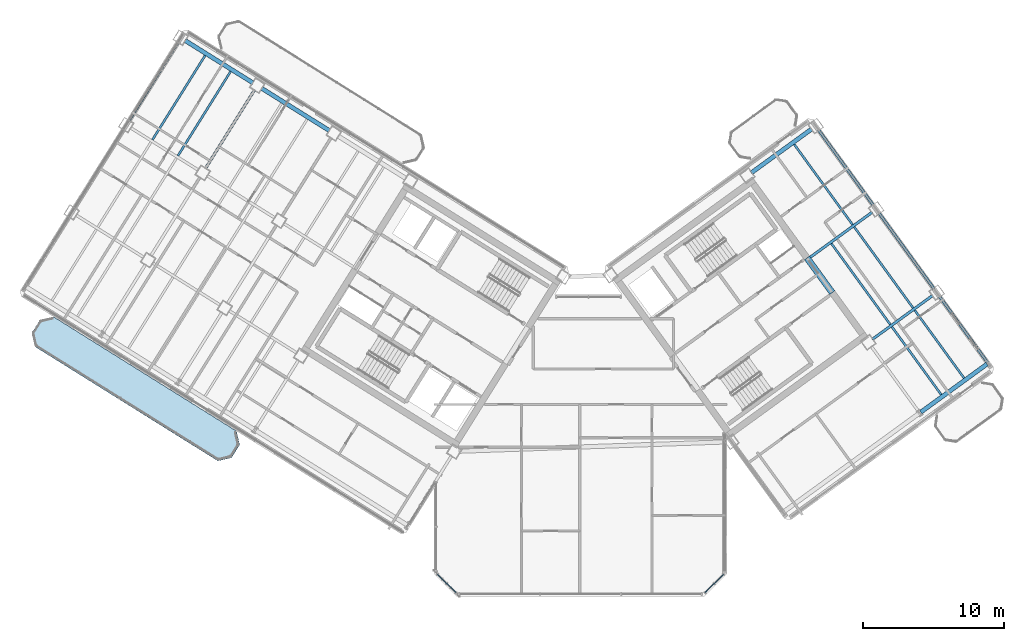
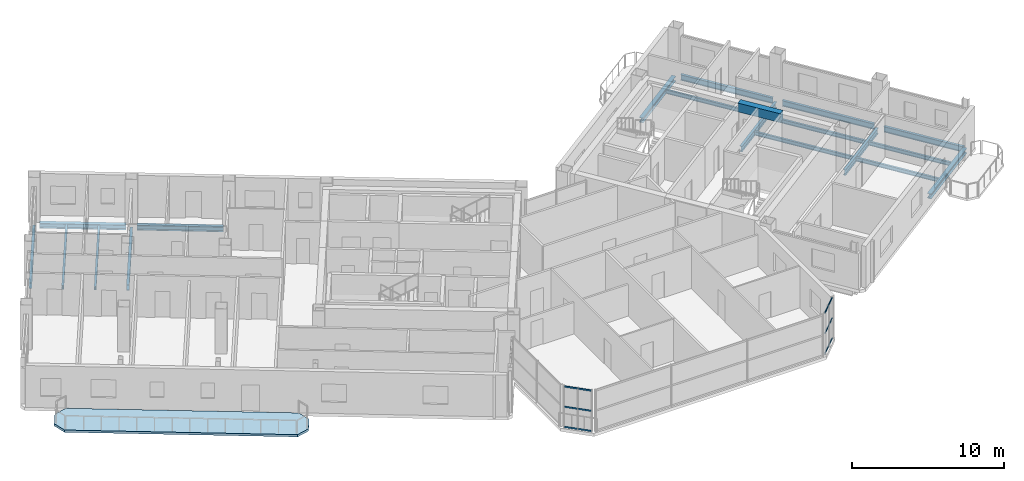
# One storey, part 13 of 29: 19 beams, 12 members, 1 slab, 2 elements without a shape of their own.
"""IFC4 building model written with IfcOpenShell, lengths in metres."""

from ifc_helpers import new_model, si_unit, direction, frame, origin, origin_2d, place, context, subcontext, project, spatial, polyline, rectangle, hollow_rectangle, i_section, outline, extrude, source, transform, mapped, material, layer, layer_set, material_profile, profile_set, type_object, element, aggregate, save


model = new_model("IFC4")

# Units and contexts
model_context = context("Model", 3, precision=1e-05, world=origin(), true_north=direction((0.0, 1.0)))
body_context = subcontext(model_context, "Body", "Model", "MODEL_VIEW")
ifc_project = project(units=[si_unit("LENGTHUNIT", "METRE"), si_unit("AREAUNIT", "SQUARE_METRE"), si_unit("VOLUMEUNIT", "CUBIC_METRE"), si_unit("PLANEANGLEUNIT", "RADIAN"), si_unit("MASSUNIT", "GRAM", prefix="KILO")], contexts=[model_context])

# Site, building, storey
site_placement = place(None, origin())
site = spatial("IfcSite", under=ifc_project, at=site_placement, CompositionType="ELEMENT")
building_placement = place(site_placement, origin())
building = spatial("IfcBuilding", under=site, at=building_placement, Name="Tlacorven Tower", CompositionType="ELEMENT")
storey_placement = place(building_placement, frame((0.0, 0.0, 238.5)))
storey = spatial("IfcBuildingStorey", under=building, at=storey_placement, Name="L60", CompositionType="ELEMENT", Elevation=238.5)

# Beams
ifc_material_1 = material(Name="Concrete C60/75", Category="concrete")
ifc_material_profile_1 = material_profile(ifc_material_1, rectangle(XDim=0.449951171875, YDim=0.699951171875, at=origin_2d()), Name="RC 450X700")
ifc_profile_set_1 = profile_set([ifc_material_profile_1], Name="Concrete C60/75")
beam_type_1 = type_object("IfcBeamType", Name="BM-LNT-700", PredefinedType="LINTEL", material=ifc_profile_set_1)
shared_shape_1 = source(origin(), body_context, "Body", "SweptSolid", [
    extrude(rectangle(XDim=0.449951171875, YDim=0.699951171875, at=origin_2d()), origin(), (0.0, 0.0, 1.0), 3.050048828125),
])
beam_1_placement = place(storey_placement, frame((59.856689453125, 23.345947265625, 3.0), z_axis=(-0.587776590479, 0.80902328748, 0.0), x_axis=(-0.80902328748, -0.587776590479, 0.0)))
element("IfcBeam", 1, at=beam_1_placement, inside=storey, type_object=beam_type_1, Name="L60 E core coupling lintel beam E2", PredefinedType="LINTEL", context=body_context, shape_type="MappedRepresentation", body=[
    mapped(shared_shape_1, transform((0.0, 0.0, 0.0), scale=1.0)),
])
ifc_material_2 = material(Name="Steel S355J2", Category="steel")
ifc_material_profile_2 = material_profile(ifc_material_2, i_section(OverallWidth=0.300048828125, OverallDepth=0.389892578125, WebThickness=0.010986328125, FlangeThickness=0.01904296875, at=origin_2d()), Name="HEA 400")
ifc_profile_set_2 = profile_set([ifc_material_profile_2], Name="Steel S355J2")
beam_type_2 = type_object("IfcBeamType", Name="BM-SPN-400", PredefinedType="SPANDREL", material=ifc_profile_set_2)
shared_shape_2 = source(origin(), body_context, "Body", "SweptSolid", [
    extrude(i_section(OverallWidth=0.300048828125, OverallDepth=0.389892578125, WebThickness=0.010986328125, FlangeThickness=0.01904296875, at=origin_2d()), origin(), (0.0, 0.0, 1.0), 5.7001953125),
])
for number, where, z_axis, x_axis, name in (
    (2, (24.20361328125, 34.828369140625, -0.445068359375), (-0.848056048787, 0.529906537151, 0.0), (-0.529906537151, -0.848056048787, 0.0), "L60 beam BM-L60-WL1-4"),
    (3, (18.776123046875, 38.2197265625, -0.445068359375), (-0.848056048787, 0.529906537151, 0.0), (-0.529906537151, -0.848056048787, 0.0), "L60 beam BM-L60-WL1-5"),
):
    element("IfcBeam", number, at=place(storey_placement, frame(where, z_axis=z_axis, x_axis=x_axis)), inside=storey, type_object=beam_type_2, Name=name, PredefinedType="SPANDREL", context=body_context, shape_type="MappedRepresentation", body=[
        mapped(shared_shape_2, transform((0.0, 0.0, 0.0), scale=1.0)),
    ])
shared_shape_3 = source(origin(), body_context, "Body", "SweptSolid", [
    extrude(i_section(OverallWidth=0.300048828125, OverallDepth=0.389892578125, WebThickness=0.010986328125, FlangeThickness=0.01904296875, at=origin_2d()), origin(), (0.0, 0.0, 1.0), 5.300048828125),
])
beam_2_placement = place(storey_placement, frame((54.114990234375, 31.84423828125, -0.445068359375), z_axis=(0.809022830186, 0.587777219904, 0.0), x_axis=(-0.587777219904, 0.809022830186, 0.0)))
element("IfcBeam", 4, at=beam_2_placement, inside=storey, type_object=beam_type_2, Name="L60 beam BM-L60-EL4-3", PredefinedType="SPANDREL", context=body_context, shape_type="MappedRepresentation", body=[
    mapped(shared_shape_3, transform((0.0, 0.0, 0.0), scale=1.0)),
])
shared_shape_4 = source(origin(), body_context, "Body", "SweptSolid", [
    extrude(i_section(OverallWidth=0.300048828125, OverallDepth=0.389892578125, WebThickness=0.010986328125, FlangeThickness=0.01904296875, at=origin_2d()), origin(), (0.0, 0.0, 1.0), 5.800048828125),
])
beam_3_placement = place(storey_placement, frame((66.138671875, 14.86962890625, -0.445068359375), z_axis=(0.809019944521, 0.587781191743, 0.0), x_axis=(-0.587781191743, 0.809019944521, 0.0)))
element("IfcBeam", 5, at=beam_3_placement, inside=storey, type_object=beam_type_2, Name="L60 beam BM-L60-EL1-3", PredefinedType="SPANDREL", context=body_context, shape_type="MappedRepresentation", body=[
    mapped(shared_shape_4, transform((0.0, 0.0, 0.0), scale=1.0)),
])
ifc_material_profile_3 = material_profile(ifc_material_2, i_section(OverallWidth=0.14990234375, OverallDepth=0.300048828125, WebThickness=0.007080078125, FlangeThickness=0.0107421875, at=origin_2d()), Name="IPE 300")
ifc_profile_set_3 = profile_set([ifc_material_profile_3], Name="Steel S355J2")
beam_type_3 = type_object("IfcBeamType", Name="BM-JST-300", PredefinedType="JOIST", material=ifc_profile_set_3)
shared_shape_5 = source(origin(), body_context, "Body", "SweptSolid", [
    extrude(i_section(OverallWidth=0.14990234375, OverallDepth=0.300048828125, WebThickness=0.007080078125, FlangeThickness=0.0107421875, at=origin_2d()), origin(), (0.0, 0.0, 1.0), 7.10009765625),
])
for number, where, z_axis, x_axis, name in (
    (6, (63.972900390625, 21.083251953125, -0.39990234375), (-0.587783168305, 0.809018508476, 0.0), (-0.809018508476, -0.587783168305, 0.0), "L60 beam BM-L60-EJ3-2-1"),
    (7, (65.5908203125, 22.2587890625, -0.39990234375), (-0.587760662035, 0.809034859672, 0.0), (-0.809034859672, -0.587760662035, 0.0), "L60 beam BM-L60-EJ3-2-2"),
):
    element("IfcBeam", number, at=place(storey_placement, frame(where, z_axis=z_axis, x_axis=x_axis)), inside=storey, type_object=beam_type_3, Name=name, PredefinedType="JOIST", context=body_context, shape_type="MappedRepresentation", body=[
        mapped(shared_shape_5, transform((0.0, 0.0, 0.0), scale=1.0)),
    ])
ifc_material_profile_4 = material_profile(ifc_material_2, i_section(OverallWidth=0.18994140625, OverallDepth=0.449951171875, WebThickness=0.009521484375, FlangeThickness=0.0146484375, at=origin_2d()), Name="IPE 450")
ifc_profile_set_4 = profile_set([ifc_material_profile_4], Name="Steel S355J2")
beam_type_4 = type_object("IfcBeamType", Name="BM-TWR-450", PredefinedType="BEAM", material=ifc_profile_set_4)
shared_shape_6 = source(origin(), body_context, "Body", "SweptSolid", [
    extrude(i_section(OverallWidth=0.18994140625, OverallDepth=0.449951171875, WebThickness=0.009521484375, FlangeThickness=0.0146484375, at=origin_2d()), origin(), (0.0, 0.0, 1.0), 5.75),
])
beam_4_placement = place(storey_placement, frame((70.853271484375, 18.41845703125, -0.47509765625), z_axis=(-0.587797998499, 0.80900773356, 0.0), x_axis=(-0.80900773356, -0.587797998499, 0.0)))
element("IfcBeam", 8, at=beam_4_placement, inside=storey, type_object=beam_type_4, Name="L60 beam BM-L60-ET4-1", PredefinedType="BEAM", context=body_context, shape_type="MappedRepresentation", body=[
    mapped(shared_shape_6, transform((0.0, 0.0, 0.0), scale=1.0)),
])
shared_shape_7 = source(origin(), body_context, "Body", "SweptSolid", [
    extrude(i_section(OverallWidth=0.18994140625, OverallDepth=0.449951171875, WebThickness=0.009521484375, FlangeThickness=0.0146484375, at=origin_2d()), origin(), (0.0, 0.0, 1.0), 6.599853515625),
])
beam_5_placement = place(storey_placement, frame((13.4599609375, 41.12890625, -0.47509765625), z_axis=(-0.529942412256, -0.848033631227, 0.0), x_axis=(0.848033631227, -0.529942412256, 0.0)))
element("IfcBeam", 9, at=beam_5_placement, inside=storey, type_object=beam_type_4, Name="L60 beam BM-L60-WT6-1", PredefinedType="BEAM", context=body_context, shape_type="MappedRepresentation", body=[
    mapped(shared_shape_7, transform((0.0, 0.0, 0.0), scale=1.0)),
])
shared_shape_8 = source(origin(), body_context, "Body", "SweptSolid", [
    extrude(i_section(OverallWidth=0.18994140625, OverallDepth=0.449951171875, WebThickness=0.009521484375, FlangeThickness=0.0146484375, at=origin_2d()), origin(), (0.0, 0.0, 1.0), 6.60009765625),
])
for number, where, z_axis, x_axis, name in (
    (10, (18.887451171875, 37.737548828125, -0.47509765625), (-0.529925788294, -0.848044019436, 0.0), (0.848044019436, -0.529925788294, 0.0), "L60 beam BM-L60-WT5-1"),
    (11, (67.06201171875, 23.63671875, -0.47509765625), (-0.587780128583, 0.809020716943, 0.0), (-0.809020716943, -0.587780128583, 0.0), "L60 beam BM-L60-ET4-2"),
    (12, (62.771240234375, 29.54248046875, -0.47509765625), (-0.587780128583, 0.809020716943, 0.0), (-0.809020716943, -0.587780128583, 0.0), "L60 beam BM-L60-ET4-3"),
):
    element("IfcBeam", number, at=place(storey_placement, frame(where, z_axis=z_axis, x_axis=x_axis)), inside=storey, type_object=beam_type_4, Name=name, PredefinedType="BEAM", context=body_context, shape_type="MappedRepresentation", body=[
        mapped(shared_shape_8, transform((0.0, 0.0, 0.0), scale=1.0)),
    ])
shared_shape_9 = source(origin(), body_context, "Body", "SweptSolid", [
    extrude(i_section(OverallWidth=0.14990234375, OverallDepth=0.300048828125, WebThickness=0.007080078125, FlangeThickness=0.0107421875, at=origin_2d()), origin(), (0.0, 0.0, 1.0), 7.044921875),
])
for number, where, z_axis, x_axis, name in (
    (13, (17.181640625, 39.033447265625, -0.39990234375), (-0.529899256491, -0.848060598053, 0.0), (0.848060598053, -0.529899256491, 0.0), "L60 beam BM-L60-WJ5-1-1"),
    (14, (15.372314453125, 40.163818359375, -0.39990234375), (-0.52991483005, -0.848050866925, 0.0), (0.848050866925, -0.52991483005, 0.0), "L60 beam BM-L60-WJ5-1-2"),
    (15, (61.300048828125, 28.164794921875, -0.39990234375), (-0.587782183052, 0.8090192243, 0.0), (-0.8090192243, -0.587782183052, 0.0), "L60 beam BM-L60-EJ3-3-2"),
):
    element("IfcBeam", number, at=place(storey_placement, frame(where, z_axis=z_axis, x_axis=x_axis)), inside=storey, type_object=beam_type_3, Name=name, PredefinedType="JOIST", context=body_context, shape_type="MappedRepresentation", body=[
        mapped(shared_shape_9, transform((0.0, 0.0, 0.0), scale=1.0)),
    ])
shared_shape_10 = source(origin(), body_context, "Body", "SweptSolid", [
    extrude(i_section(OverallWidth=0.14990234375, OverallDepth=0.300048828125, WebThickness=0.007080078125, FlangeThickness=0.0107421875, at=origin_2d()), origin(), (0.0, 0.0, 1.0), 5.945068359375),
])
for number, where, z_axis, x_axis, name in (
    (16, (67.584716796875, 16.11181640625, -0.39990234375), (-0.587788268014, 0.809014803317, 0.0), (-0.809014803317, -0.587788268014, 0.0), "L60 beam BM-L60-EJ3-1-1"),
    (17, (69.202880859375, 17.287353515625, -0.39990234375), (-0.587768740048, 0.809028990965, 0.0), (-0.809028990965, -0.587768740048, 0.0), "L60 beam BM-L60-EJ3-1-2"),
):
    element("IfcBeam", number, at=place(storey_placement, frame(where, z_axis=z_axis, x_axis=x_axis)), inside=storey, type_object=beam_type_3, Name=name, PredefinedType="JOIST", context=body_context, shape_type="MappedRepresentation", body=[
        mapped(shared_shape_10, transform((0.0, 0.0, 0.0), scale=1.0)),
    ])
shared_shape_11 = source(origin(), body_context, "Body", "SweptSolid", [
    extrude(i_section(OverallWidth=0.18994140625, OverallDepth=0.449951171875, WebThickness=0.009521484375, FlangeThickness=0.0146484375, at=origin_2d()), origin(), (0.0, 0.0, 1.0), 5.300048828125),
])
beam_6_placement = place(storey_placement, frame((62.69677734375, 20.032470703125, -0.47509765625), z_axis=(0.809022830186, 0.587777219904, 0.0), x_axis=(-0.587777219904, 0.809022830186, 0.0)))
element("IfcBeam", 18, at=beam_6_placement, inside=storey, type_object=beam_type_4, Name="L60 beam BM-L60-EL2-3", PredefinedType="BEAM", context=body_context, shape_type="MappedRepresentation", body=[
    mapped(shared_shape_11, transform((0.0, 0.0, 0.0), scale=1.0)),
])
shared_shape_12 = source(origin(), body_context, "Body", "SweptSolid", [
    extrude(i_section(OverallWidth=0.18994140625, OverallDepth=0.449951171875, WebThickness=0.009521484375, FlangeThickness=0.0146484375, at=origin_2d()), origin(), (0.0, 0.0, 1.0), 5.6103515625),
])
beam_7_placement = place(storey_placement, frame((58.155029296875, 25.756103515625, -0.47509765625), z_axis=(0.809020142627, 0.587780919071, 0.0), x_axis=(-0.587780919071, 0.809020142627, 0.0)))
element("IfcBeam", 19, at=beam_7_placement, inside=storey, type_object=beam_type_4, Name="L60 beam BM-L60-EL3-3", PredefinedType="BEAM", context=body_context, shape_type="MappedRepresentation", body=[
    mapped(shared_shape_12, transform((0.0, 0.0, 0.0), scale=1.0)),
])

# Curtain wall, members
ifc_material_3 = material(Name="Dark solar low-E double glazing in aluminium frame", Category="aluminium")
curtain_wall_type = type_object("IfcCurtainWallType", Name="CW-TWR-HIGH", PredefinedType="USERDEFINED", material=ifc_material_3)
curtain_wall_1_placement = place(storey_placement, origin())
curtain_wall_1 = element("IfcCurtainWall", 20, at=curtain_wall_1_placement, inside=storey, type_object=curtain_wall_type, Name="L60 CW-TWR-HIGH Curtain Wall 272", ObjectType="UNITISED CURTAIN WALL", PredefinedType="USERDEFINED")
ifc_material_4 = material(Name="Aluminium 6063-T6 anodised", Category="aluminium")
ifc_material_profile_5 = material_profile(ifc_material_4, hollow_rectangle(XDim=0.054931640625, YDim=0.1201171875, WallThickness=0.00341796875, at=origin_2d()), Name="ALU TRANSOM 55X120")
ifc_profile_set_5 = profile_set([ifc_material_profile_5], Name="Aluminium 6063-T6 anodised")
member_type = type_object("IfcMemberType", Name="CWT-03", PredefinedType="USERDEFINED", material=ifc_profile_set_5)
shared_shape_13 = source(origin(), body_context, "Body", "SweptSolid", [
    extrude(hollow_rectangle(XDim=0.054931640625, YDim=0.1201171875, WallThickness=0.00341796875, at=origin_2d()), origin(), (0.0, 0.0, 1.0), 0.899169921875),
])
member_1_placement = place(storey_placement, frame((52.13525390625, 3.361572265625, 0.06005859375), z_axis=(-0.707106781187, -0.707106781187, 0.0), x_axis=(0.707106781187, -0.707106781187, 0.0)))
member_1 = element("IfcMember", 21, at=member_1_placement, type_object=member_type, Name="CW-L60-272 Transom 1", ObjectType="TRANSOM", PredefinedType="USERDEFINED", context=body_context, shape_type="MappedRepresentation", body=[
    mapped(shared_shape_13, transform((0.0, 0.0, 0.0), scale=1.0)),
])
member_2_placement = place(storey_placement, frame((52.13525390625, 3.361572265625, 1.675048828125), z_axis=(-0.707106781187, -0.707106781187, 0.0), x_axis=(0.707106781187, -0.707106781187, 0.0)))
member_2 = element("IfcMember", 22, at=member_2_placement, type_object=member_type, Name="CW-L60-272 Transom 2", ObjectType="TRANSOM", PredefinedType="USERDEFINED", context=body_context, shape_type="MappedRepresentation", body=[
    mapped(shared_shape_13, transform((0.0, 0.0, 0.0), scale=1.0)),
])
member_3_placement = place(storey_placement, frame((52.13525390625, 3.361572265625, 3.2900390625), z_axis=(-0.707106781187, -0.707106781187, 0.0), x_axis=(0.707106781187, -0.707106781187, 0.0)))
member_3 = element("IfcMember", 23, at=member_3_placement, type_object=member_type, Name="CW-L60-272 Transom 3", ObjectType="TRANSOM", PredefinedType="USERDEFINED", context=body_context, shape_type="MappedRepresentation", body=[
    mapped(shared_shape_13, transform((0.0, 0.0, 0.0), scale=1.0)),
])
member_4_placement = place(storey_placement, frame((51.47412109375, 2.700439453125, 0.06005859375), z_axis=(-0.707106781187, -0.707106781187, 0.0), x_axis=(0.707106781187, -0.707106781187, 0.0)))
member_4 = element("IfcMember", 24, at=member_4_placement, type_object=member_type, Name="CW-L60-272 Transom 4", ObjectType="TRANSOM", PredefinedType="USERDEFINED", context=body_context, shape_type="MappedRepresentation", body=[
    mapped(shared_shape_13, transform((0.0, 0.0, 0.0), scale=1.0)),
])
member_5_placement = place(storey_placement, frame((51.47412109375, 2.700439453125, 1.675048828125), z_axis=(-0.707106781187, -0.707106781187, 0.0), x_axis=(0.707106781187, -0.707106781187, 0.0)))
member_5 = element("IfcMember", 25, at=member_5_placement, type_object=member_type, Name="CW-L60-272 Transom 5", ObjectType="TRANSOM", PredefinedType="USERDEFINED", context=body_context, shape_type="MappedRepresentation", body=[
    mapped(shared_shape_13, transform((0.0, 0.0, 0.0), scale=1.0)),
])
member_6_placement = place(storey_placement, frame((51.47412109375, 2.700439453125, 3.2900390625), z_axis=(-0.707106781187, -0.707106781187, 0.0), x_axis=(0.707106781187, -0.707106781187, 0.0)))
member_6 = element("IfcMember", 26, at=member_6_placement, type_object=member_type, Name="CW-L60-272 Transom 6", ObjectType="TRANSOM", PredefinedType="USERDEFINED", context=body_context, shape_type="MappedRepresentation", body=[
    mapped(shared_shape_13, transform((0.0, 0.0, 0.0), scale=1.0)),
])
aggregate(curtain_wall_1, [member_1, member_2, member_3, member_4, member_5, member_6])

curtain_wall_2_placement = place(storey_placement, origin())
curtain_wall_2 = element("IfcCurtainWall", 27, at=curtain_wall_2_placement, inside=storey, type_object=curtain_wall_type, Name="L60 CW-TWR-HIGH Curtain Wall 274", ObjectType="UNITISED CURTAIN WALL", PredefinedType="USERDEFINED")
member_7_placement = place(storey_placement, frame((33.16162109375, 2.064697265625, 0.06005859375), z_axis=(-0.707106781187, 0.707106781187, 0.0), x_axis=(-0.707106781187, -0.707106781187, 0.0)))
member_7 = element("IfcMember", 28, at=member_7_placement, type_object=member_type, Name="CW-L60-274 Transom 1", ObjectType="TRANSOM", PredefinedType="USERDEFINED", context=body_context, shape_type="MappedRepresentation", body=[
    mapped(shared_shape_13, transform((0.0, 0.0, 0.0), scale=1.0)),
])
member_8_placement = place(storey_placement, frame((33.16162109375, 2.064697265625, 1.675048828125), z_axis=(-0.707106781187, 0.707106781187, 0.0), x_axis=(-0.707106781187, -0.707106781187, 0.0)))
member_8 = element("IfcMember", 29, at=member_8_placement, type_object=member_type, Name="CW-L60-274 Transom 2", ObjectType="TRANSOM", PredefinedType="USERDEFINED", context=body_context, shape_type="MappedRepresentation", body=[
    mapped(shared_shape_13, transform((0.0, 0.0, 0.0), scale=1.0)),
])
member_9_placement = place(storey_placement, frame((33.16162109375, 2.064697265625, 3.2900390625), z_axis=(-0.707106781187, 0.707106781187, 0.0), x_axis=(-0.707106781187, -0.707106781187, 0.0)))
member_9 = element("IfcMember", 30, at=member_9_placement, type_object=member_type, Name="CW-L60-274 Transom 3", ObjectType="TRANSOM", PredefinedType="USERDEFINED", context=body_context, shape_type="MappedRepresentation", body=[
    mapped(shared_shape_13, transform((0.0, 0.0, 0.0), scale=1.0)),
])
member_10_placement = place(storey_placement, frame((32.50048828125, 2.725830078125, 0.06005859375), z_axis=(-0.707106781187, 0.707106781187, 0.0), x_axis=(-0.707106781187, -0.707106781187, 0.0)))
member_10 = element("IfcMember", 31, at=member_10_placement, type_object=member_type, Name="CW-L60-274 Transom 4", ObjectType="TRANSOM", PredefinedType="USERDEFINED", context=body_context, shape_type="MappedRepresentation", body=[
    mapped(shared_shape_13, transform((0.0, 0.0, 0.0), scale=1.0)),
])
member_11_placement = place(storey_placement, frame((32.50048828125, 2.725830078125, 1.675048828125), z_axis=(-0.707106781187, 0.707106781187, 0.0), x_axis=(-0.707106781187, -0.707106781187, 0.0)))
member_11 = element("IfcMember", 32, at=member_11_placement, type_object=member_type, Name="CW-L60-274 Transom 5", ObjectType="TRANSOM", PredefinedType="USERDEFINED", context=body_context, shape_type="MappedRepresentation", body=[
    mapped(shared_shape_13, transform((0.0, 0.0, 0.0), scale=1.0)),
])
member_12_placement = place(storey_placement, frame((32.50048828125, 2.725830078125, 3.2900390625), z_axis=(-0.707106781187, 0.707106781187, 0.0), x_axis=(-0.707106781187, -0.707106781187, 0.0)))
member_12 = element("IfcMember", 33, at=member_12_placement, type_object=member_type, Name="CW-L60-274 Transom 6", ObjectType="TRANSOM", PredefinedType="USERDEFINED", context=body_context, shape_type="MappedRepresentation", body=[
    mapped(shared_shape_13, transform((0.0, 0.0, 0.0), scale=1.0)),
])
aggregate(curtain_wall_2, [member_7, member_8, member_9, member_10, member_11, member_12])

# Slab
ifc_material_5 = material(Name="Precast concrete C45/55", Category="concrete")
ifc_layer = layer(ifc_material_5, 0.179931640625)
ifc_layer_set = layer_set([ifc_layer], Name="Precast concrete C45/55")
slab_type = type_object("IfcSlabType", Name="SL-BAL-180", PredefinedType="USERDEFINED", material=ifc_layer_set)
slab_placement = place(storey_placement, frame((0.0, 0.0, -0.179931640625)))
element("IfcSlab", 34, at=slab_placement, inside=storey, type_object=slab_type, Name="L60 West Wing Balcony Ribbon OUT", ObjectType="BALCONY SLAB", PredefinedType="USERDEFINED", context=body_context, shape_type="SweptSolid", body=[
    extrude(outline(polyline([(17.601318359375, 13.52490234375), (4.626220703125, 21.632568359375), (3.66162109375, 21.409912109375), (3.081298828125, 20.4814453125), (3.303955078125, 19.516845703125), (16.279052734375, 11.408935546875), (17.24365234375, 11.6318359375), (17.823974609375, 12.560302734375), (17.601318359375, 13.52490234375)])), origin(), (0.0, 0.0, 1.0), 0.179931640625),
])

save(model, "model.ifc")
